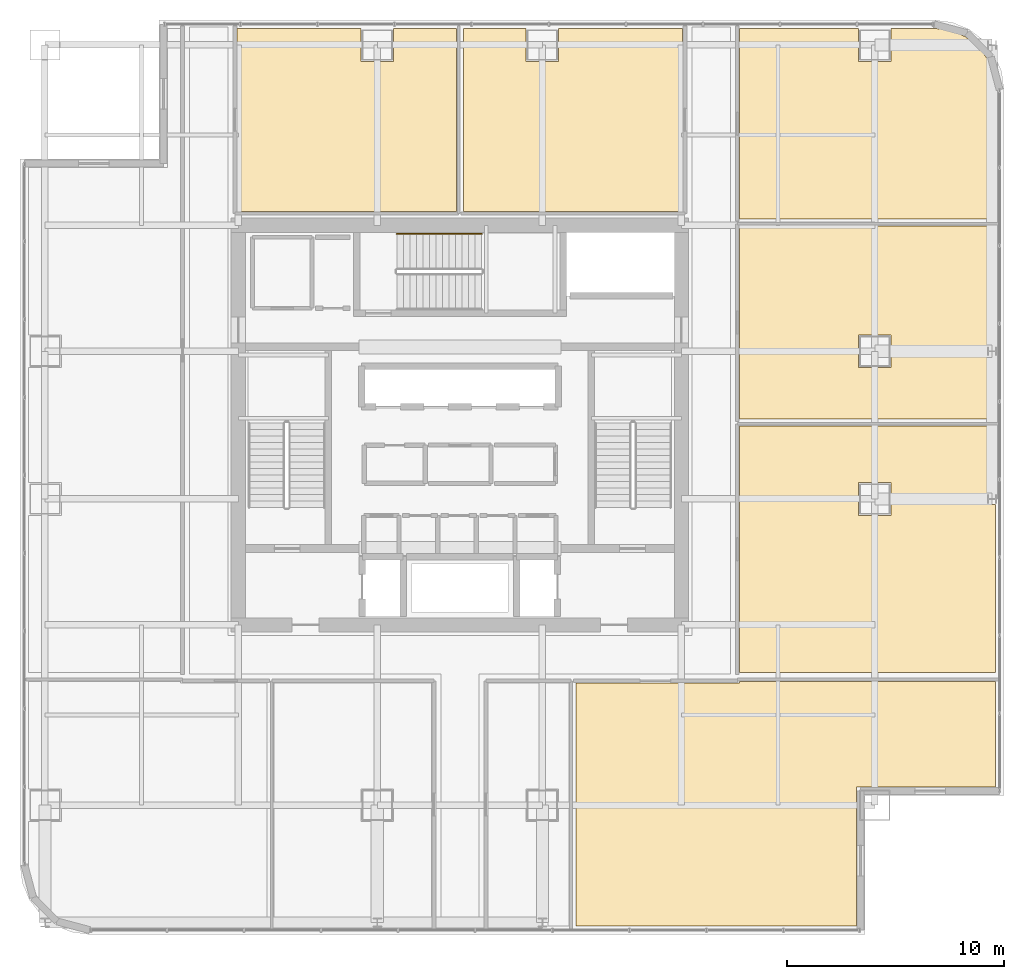
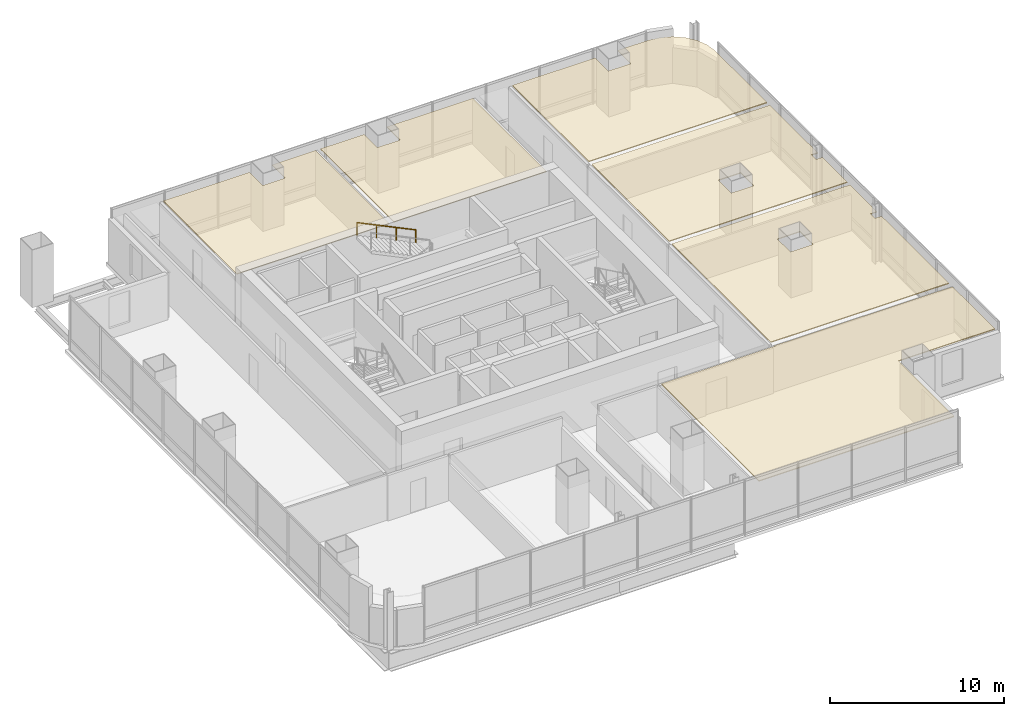
# One storey, part 36 of 36: 6 coverings, 1 railing.
"""IFC4 building model written with IfcOpenShell, lengths in metres."""

from ifc_helpers import new_model, si_unit, direction, frame, origin, origin_2d, place, context, subcontext, project, spatial, polyline, circle, outline, extrude, material, layer, layer_set, type_object, element, save


model = new_model("IFC4")

# Units and contexts
model_context = context("Model", 3, precision=1e-05, world=origin(), true_north=direction((0.0, 1.0)))
body_context = subcontext(model_context, "Body", "Model", "MODEL_VIEW")
ifc_project = project(units=[si_unit("LENGTHUNIT", "METRE"), si_unit("AREAUNIT", "SQUARE_METRE"), si_unit("VOLUMEUNIT", "CUBIC_METRE"), si_unit("PLANEANGLEUNIT", "RADIAN"), si_unit("MASSUNIT", "GRAM", prefix="KILO")], contexts=[model_context])

# Site, building, storey
site_placement = place(None, origin())
site = spatial("IfcSite", under=ifc_project, at=site_placement, CompositionType="ELEMENT")
building_placement = place(site_placement, origin())
building = spatial("IfcBuilding", under=site, at=building_placement, Name="Punatoya Terracotta Tower", CompositionType="ELEMENT")
storey_placement = place(building_placement, frame((0.0, 0.0, 228.89990234375)))
storey = spatial("IfcBuildingStorey", under=building, at=storey_placement, Name="L54", CompositionType="ELEMENT", Elevation=228.89990234375)

# Coverings
ifc_material_1 = material(Name="Acoustic Mineral Fibre Ceiling")
ifc_layer = layer(ifc_material_1, 0.06005859375)
ifc_layer_set = layer_set([ifc_layer], Name="Acoustic Mineral Fibre Ceiling")
covering_type = type_object("IfcCoveringType", Name="COV-CEIL-60", PredefinedType="CEILING", material=ifc_layer_set)
covering_1_placement = place(storey_placement, frame((0.0, 0.0, 3.22021484375)))
element("IfcCovering", 1, at=covering_1_placement, inside=storey, type_object=covering_type, Name="L54 Client Strategy Boardroom Acoustic Ceiling", PredefinedType="CEILING", context=body_context, shape_type="SweptSolid", body=[
    extrude(outline(polyline([(12.8701171875, -11.8701171875), (5.337890625, -11.8701171875), (5.337890625, -23.070068359375), (18.27001953125, -23.070068359375), (18.27001953125, -16.669921875), (24.669921875, -16.669921875), (24.669921875, -11.81005859375), (12.8701171875, -11.81005859375), (12.8701171875, -11.8701171875)])), origin(), (0.0, 0.0, 1.0), 0.059814453125),
])
covering_2_placement = place(storey_placement, frame((0.0, 0.0, 3.22021484375)))
element("IfcCovering", 2, at=covering_2_placement, inside=storey, type_object=covering_type, Name="L54 Open-Plan Digital Reference Library Acoustic Ceiling", PredefinedType="CEILING", context=body_context, shape_type="SweptSolid", body=[
    extrude(outline(polyline([(24.24560546875, -3.66259765625), (24.24560546875, -3.137451171875), (24.669921875, -3.137451171875), (24.669921875, -0.0439453125), (12.8701171875, -0.0439453125), (12.8701171875, -11.389892578125), (24.669921875, -11.389892578125), (24.669921875, -3.66259765625), (24.24560546875, -3.66259765625)]), holes=[polyline([(19.85009765625, -2.64990234375), (19.85009765625, -4.14990234375), (18.35009765625, -4.14990234375), (18.35009765625, -2.64990234375), (19.85009765625, -2.64990234375)])]), origin(), (0.0, 0.0, 1.0), 0.059814453125),
])
covering_3_placement = place(storey_placement, frame((0.0, 0.0, 3.22021484375)))
element("IfcCovering", 3, at=covering_3_placement, inside=storey, type_object=covering_type, Name="L54 Open-Plan Wellness Quiet Room Acoustic Ceiling", PredefinedType="CEILING", context=body_context, shape_type="SweptSolid", body=[
    extrude(outline(polyline([(12.8701171875, 9.166015625), (12.8701171875, 0.27587890625), (24.669921875, 0.27587890625), (24.669921875, 3.137451171875), (24.24560546875, 3.137451171875), (24.24560546875, 3.66259765625), (24.669921875, 3.66259765625), (24.669921875, 9.166015625), (12.8701171875, 9.166015625)]), holes=[polyline([(19.85009765625, 2.64990234375), (18.35009765625, 2.64990234375), (18.35009765625, 4.14990234375), (19.85009765625, 4.14990234375), (19.85009765625, 2.64990234375)])]), origin(), (0.0, 0.0, 1.0), 0.059814453125),
])
covering_4_placement = place(storey_placement, frame((0.0, 0.0, 3.22021484375)))
element("IfcCovering", 4, at=covering_4_placement, inside=storey, type_object=covering_type, Name="L54 Open-Plan Systems Engineering Office Acoustic Ceiling", PredefinedType="CEILING", context=body_context, shape_type="SweptSolid", body=[
    extrude(outline(polyline([(12.8701171875, 18.27001953125), (12.8701171875, 9.486083984375), (24.669921875, 9.486083984375), (24.669921875, 15.425048828125), (24.57080078125, 16.178955078125), (24.289306640625, 16.8583984375), (23.841796875, 17.441650390625), (23.25830078125, 17.889404296875), (22.5791015625, 18.1708984375), (21.8251953125, 18.27001953125), (19.85009765625, 18.27001953125), (19.85009765625, 16.75), (18.35009765625, 16.75), (18.35009765625, 18.27001953125), (12.8701171875, 18.27001953125)])), origin(), (0.0, 0.0, 1.0), 0.059814453125),
])
covering_5_placement = place(storey_placement, frame((0.0, 0.0, 3.22021484375)))
element("IfcCovering", 5, at=covering_5_placement, inside=storey, type_object=covering_type, Name="L54 Open-Plan Quantitative Practice Office Acoustic Ceiling", PredefinedType="CEILING", context=body_context, shape_type="SweptSolid", body=[
    extrude(outline(polyline([(-4.550048828125, 18.27001953125), (-10.260009765625, 18.27001953125), (-10.260009765625, 9.840087890625), (-0.159912109375, 9.840087890625), (-0.159912109375, 18.27001953125), (-3.050048828125, 18.27001953125), (-3.050048828125, 16.75), (-4.550048828125, 16.75), (-4.550048828125, 18.27001953125)])), origin(), (0.0, 0.0, 1.0), 0.059814453125),
])
covering_6_placement = place(storey_placement, frame((0.0, 0.0, 3.22021484375)))
element("IfcCovering", 6, at=covering_6_placement, inside=storey, type_object=covering_type, Name="L54 Open-Plan Regional Operations Office Acoustic Ceiling", PredefinedType="CEILING", context=body_context, shape_type="SweptSolid", body=[
    extrude(outline(polyline([(0.159912109375, 18.27001953125), (0.159912109375, 9.840087890625), (10.260009765625, 9.840087890625), (10.260009765625, 18.27001953125), (4.550048828125, 18.27001953125), (4.550048828125, 16.75), (3.050048828125, 16.75), (3.050048828125, 18.27001953125), (0.159912109375, 18.27001953125)])), origin(), (0.0, 0.0, 1.0), 0.059814453125),
])

# Railing
ifc_material_2 = material(Name="Steel S355", Category="steel")
railing_type = type_object("IfcRailingType", Name="RLG-HND-900", PredefinedType="HANDRAIL", material=ifc_material_2)
railing_placement = place(storey_placement, frame((1.0, 8.800048828125, 2.169677734375)))
element("IfcRailing", 7, at=railing_placement, inside=storey, type_object=railing_type, Name="L54 ST-3 stair handrail 2", PredefinedType="HANDRAIL", context=body_context, shape_type="SweptSolid", body=[
    extrude(circle(Radius=0.02392578125, at=origin_2d()), frame((0.0, 0.0, 0.8759765625), z_axis=(-0.900763166376, 0.0, 0.434310623978), x_axis=(0.0, -1.0, 0.0)), (0.0, 0.0, 1.0), 4.32958984375),
    extrude(circle(Radius=0.02099609375, at=origin_2d()), origin(), (0.0, 0.0, 1.0), 0.851806640625),
    extrude(circle(Radius=0.02099609375, at=origin_2d()), frame((-1.300048828125, 0.0, 0.626708984375)), (0.0, 0.0, 1.0), 0.851806640625),
    extrude(circle(Radius=0.02099609375, at=origin_2d()), frame((-2.599853515625, 0.0, 1.253662109375)), (0.0, 0.0, 1.0), 0.851806640625),
    extrude(circle(Radius=0.02099609375, at=origin_2d()), frame((-3.89990234375, 0.0, 1.88037109375)), (0.0, 0.0, 1.0), 0.851806640625),
])

save(model, "model.ifc")
